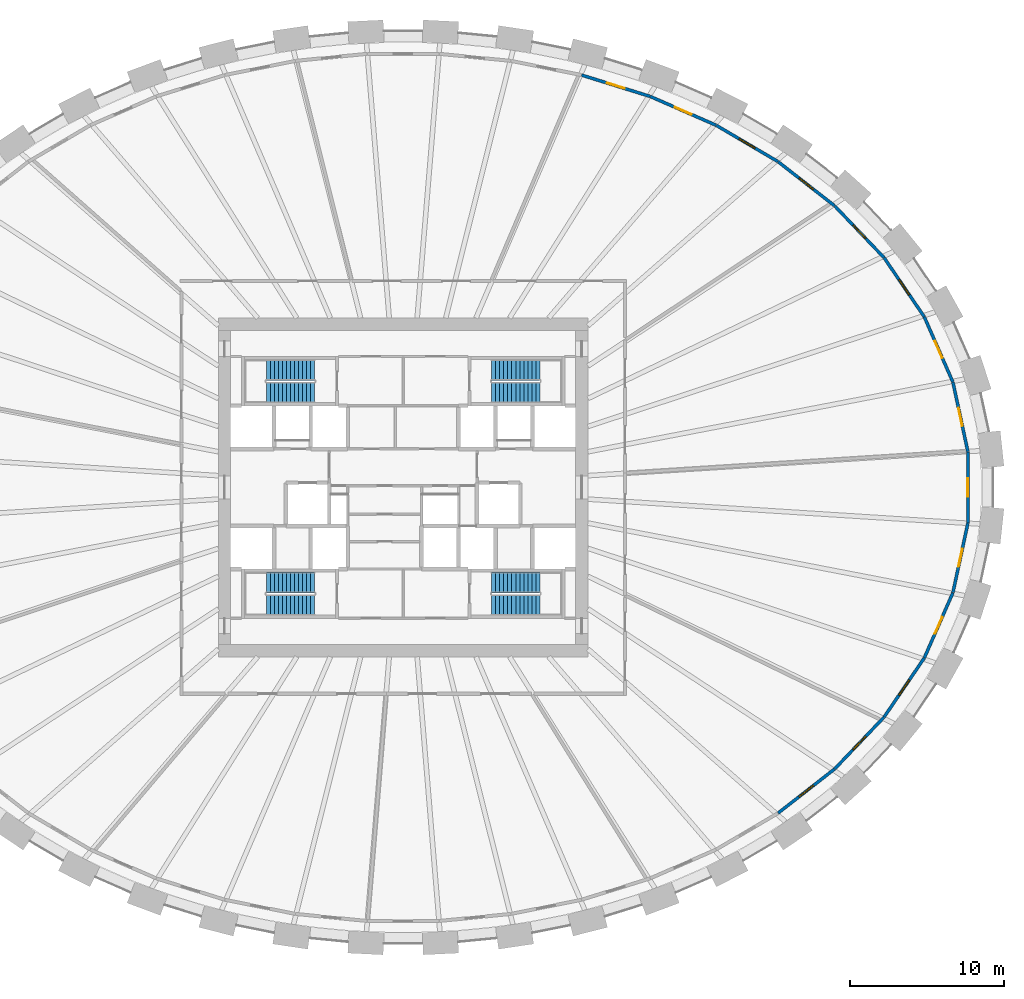
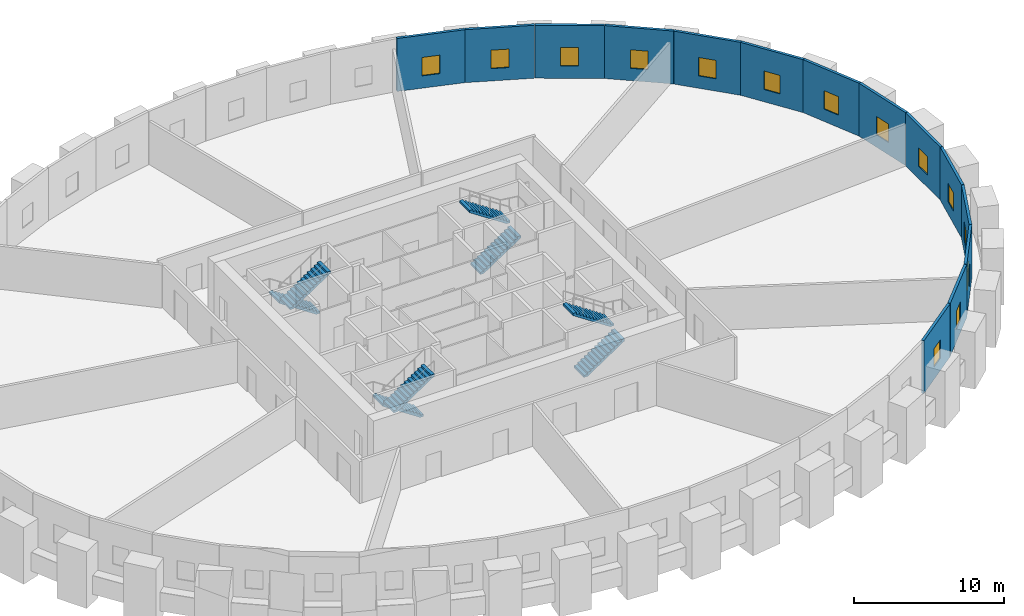
# One storey, part 8 of 9: 14 walls, 14 windows, 8 stair flights, 14 openings, 4 elements without a shape of their own.
"""IFC4 building model written with IfcOpenShell, lengths in metres."""

from ifc_helpers import new_model, si_unit, direction, frame, frame_2d, origin, place, context, subcontext, project, spatial, polyline, rectangle, outline, extrude, source, transform, mapped, material, layer, layer_set, type_object, element, fill, aggregate, save


model = new_model("IFC4")

# Units and contexts
model_context = context("Model", 3, precision=1e-05, world=origin(), true_north=direction((0.0, 1.0)))
body_context = subcontext(model_context, "Body", "Model", "MODEL_VIEW")
ifc_project = project(units=[si_unit("LENGTHUNIT", "METRE"), si_unit("AREAUNIT", "SQUARE_METRE"), si_unit("VOLUMEUNIT", "CUBIC_METRE"), si_unit("PLANEANGLEUNIT", "RADIAN"), si_unit("MASSUNIT", "GRAM", prefix="KILO")], contexts=[model_context])

# Site, building, storey
site_placement = place(None, origin())
site = spatial("IfcSite", under=ifc_project, at=site_placement, CompositionType="ELEMENT")
building_placement = place(site_placement, origin())
building = spatial("IfcBuilding", under=site, at=building_placement, Name="Embergate Tower", CompositionType="ELEMENT")
storey_placement = place(building_placement, frame((0.0, 0.0, 147.60009765625)))
storey = spatial("IfcBuildingStorey", under=building, at=storey_placement, Name="L32", CompositionType="ELEMENT", Elevation=147.60009765625)

# Wall, opening, window
ifc_material_1 = material(Name="Terracotta louvre cladding on insulated backing", Category="masonry")
ifc_layer = layer(ifc_material_1, 0.199951171875)
ifc_layer_set = layer_set([ifc_layer], Name="Terracotta louvre cladding on insulated backing")
wall_type = type_object("IfcWallType", Name="Terracotta louvre wall", PredefinedType="SOLIDWALL", material=ifc_layer_set)
shared_shape_1 = source(origin(), body_context, "Body", "SweptSolid", [
    extrude(rectangle(XDim=4.60693359375, YDim=0.199951171875, at=frame_2d((2.303466796875, 0.0))), origin(), (0.0, 0.0, 1.0), 4.2998046875),
])
wall_1_placement = place(storey_placement, frame((35.70166015625, 6.825927734375, 0.0), z_axis=(0.0, 0.0, 1.0), x_axis=(0.210383104488, -0.977619020552, 0.0)))
wall_1 = element("IfcWall", 1, at=wall_1_placement, inside=storey, type_object=wall_type, Name="Louvre wall 1", PredefinedType="SOLIDWALL", context=body_context, shape_type="MappedRepresentation", body=[
    mapped(shared_shape_1, transform((0.0, 0.0, 0.0))),
])
shared_shape_2 = source(origin(), body_context, "Body", "SweptSolid", [
    extrude(rectangle(XDim=1.199951171875, YDim=1.5, at=frame_2d((0.60009765625, 0.75))), frame((0.0, 0.10986328125, 0.0), z_axis=(0.0, -1.0, 0.0), x_axis=(1.0, 0.0, 0.0)), (0.0, 0.0, 1.0), 0.219970703125),
])
opening_1_placement = place(wall_1_placement, frame((1.70361328125, 0.0, 1.0)))
opening_1 = element("IfcOpeningElement", 2, at=opening_1_placement, cuts=wall_1, Name="Opening RW", PredefinedType="OPENING", context=body_context, shape_type="MappedRepresentation", body=[
    mapped(shared_shape_2, transform((0.0, 0.0, 0.0))),
])
ifc_material_2 = material(Name="Aluminium, thermally broken, triple glazed", Category="aluminium")
window_type = type_object("IfcWindowType", Name="Refuge operable window", PartitioningType="SINGLE_PANEL", PredefinedType="WINDOW", material=ifc_material_2)
shared_shape_3 = source(origin(), body_context, "Body", "SweptSolid", [
    extrude(rectangle(XDim=1.199951171875, YDim=1.5, at=frame_2d((0.60009765625, 0.75))), frame((0.0, 0.030029296875, 0.0), z_axis=(0.0, -1.0, 0.0), x_axis=(1.0, 0.0, 0.0)), (0.0, 0.0, 1.0), 0.06005859375),
])
window_1_placement = place(opening_1_placement, origin())
window_1 = element("IfcWindow", 3, at=window_1_placement, inside=storey, type_object=window_type, Name="Refuge window 1", OverallHeight=1.5, OverallWidth=1.199951171875, PartitioningType="SINGLE_PANEL", PredefinedType="WINDOW", context=body_context, shape_type="MappedRepresentation", body=[
    mapped(shared_shape_3, transform((0.0, 0.0, 0.0))),
])
fill(opening_1, window_1)

wall_2_placement = place(storey_placement, frame((36.6708984375, -2.322021484375, 0.0), z_axis=(0.0, 0.0, 1.0), x_axis=(-0.210383104488, -0.977619020552, 0.0)))
wall_2 = element("IfcWall", 4, at=wall_2_placement, inside=storey, type_object=wall_type, Name="Louvre wall 43", PredefinedType="SOLIDWALL", context=body_context, shape_type="MappedRepresentation", body=[
    mapped(shared_shape_1, transform((0.0, 0.0, 0.0))),
])
opening_2_placement = place(wall_2_placement, frame((1.70361328125, 0.0, 1.0)))
opening_2 = element("IfcOpeningElement", 5, at=opening_2_placement, cuts=wall_2, Name="Opening RW", PredefinedType="OPENING", context=body_context, shape_type="MappedRepresentation", body=[
    mapped(shared_shape_2, transform((0.0, 0.0, 0.0))),
])
window_2_placement = place(opening_2_placement, origin())
window_2 = element("IfcWindow", 6, at=window_2_placement, inside=storey, type_object=window_type, Name="Refuge window 43", OverallHeight=1.5, OverallWidth=1.199951171875, PartitioningType="SINGLE_PANEL", PredefinedType="WINDOW", context=body_context, shape_type="MappedRepresentation", body=[
    mapped(shared_shape_3, transform((0.0, 0.0, 0.0))),
])
fill(opening_2, window_2)

shared_shape_4 = source(origin(), body_context, "Body", "SweptSolid", [
    extrude(rectangle(XDim=4.6142578125, YDim=0.199951171875, at=frame_2d((2.30712890625, 0.0))), origin(), (0.0, 0.0, 1.0), 4.2998046875),
])
wall_3_placement = place(storey_placement, frame((33.84228515625, 11.07080078125, 0.0), z_axis=(0.0, 0.0, 1.0), x_axis=(0.40163191284, -0.915801182893, 0.0)))
wall_3 = element("IfcWall", 7, at=wall_3_placement, inside=storey, type_object=wall_type, Name="Louvre wall 2", PredefinedType="SOLIDWALL", context=body_context, shape_type="MappedRepresentation", body=[
    mapped(shared_shape_4, transform((0.0, 0.0, 0.0))),
])
opening_3_placement = place(wall_3_placement, frame((1.70703125, 0.0, 1.0)))
opening_3 = element("IfcOpeningElement", 8, at=opening_3_placement, cuts=wall_3, Name="Opening RW", PredefinedType="OPENING", context=body_context, shape_type="MappedRepresentation", body=[
    mapped(shared_shape_2, transform((0.0, 0.0, 0.0))),
])
window_3_placement = place(opening_3_placement, origin())
window_3 = element("IfcWindow", 9, at=window_3_placement, inside=storey, type_object=window_type, Name="Refuge window 2", OverallHeight=1.5, OverallWidth=1.199951171875, PartitioningType="SINGLE_PANEL", PredefinedType="WINDOW", context=body_context, shape_type="MappedRepresentation", body=[
    mapped(shared_shape_3, transform((0.0, 0.0, 0.0))),
])
fill(opening_3, window_3)

wall_4_placement = place(storey_placement, frame((35.695556640625, -6.844970703125, 0.0), z_axis=(0.0, 0.0, 1.0), x_axis=(-0.40163191284, -0.915801182893, 0.0)))
wall_4 = element("IfcWall", 10, at=wall_4_placement, inside=storey, type_object=wall_type, Name="Louvre wall 42", PredefinedType="SOLIDWALL", context=body_context, shape_type="MappedRepresentation", body=[
    mapped(shared_shape_4, transform((0.0, 0.0, 0.0))),
])
opening_4_placement = place(wall_4_placement, frame((1.70703125, 0.0, 1.0)))
opening_4 = element("IfcOpeningElement", 11, at=opening_4_placement, cuts=wall_4, Name="Opening RW", PredefinedType="OPENING", context=body_context, shape_type="MappedRepresentation", body=[
    mapped(shared_shape_2, transform((0.0, 0.0, 0.0))),
])
window_4_placement = place(opening_4_placement, origin())
window_4 = element("IfcWindow", 12, at=window_4_placement, inside=storey, type_object=window_type, Name="Refuge window 42", OverallHeight=1.5, OverallWidth=1.199951171875, PartitioningType="SINGLE_PANEL", PredefinedType="WINDOW", context=body_context, shape_type="MappedRepresentation", body=[
    mapped(shared_shape_3, transform((0.0, 0.0, 0.0))),
])
fill(opening_4, window_4)

shared_shape_5 = source(origin(), body_context, "Body", "SweptSolid", [
    extrude(rectangle(XDim=4.623291015625, YDim=0.199951171875, at=frame_2d((2.3115234375, 0.0))), origin(), (0.0, 0.0, 1.0), 4.2998046875),
])
wall_5_placement = place(storey_placement, frame((31.232666015625, 14.9111328125, 0.0), z_axis=(0.0, 0.0, 1.0), x_axis=(0.562341797636, -0.826904893341, 0.0)))
wall_5 = element("IfcWall", 13, at=wall_5_placement, inside=storey, type_object=wall_type, Name="Louvre wall 3", PredefinedType="SOLIDWALL", context=body_context, shape_type="MappedRepresentation", body=[
    mapped(shared_shape_5, transform((0.0, 0.0, 0.0))),
])
opening_5_placement = place(wall_5_placement, frame((1.711669921875, 0.0, 1.0)))
opening_5 = element("IfcOpeningElement", 14, at=opening_5_placement, cuts=wall_5, Name="Opening RW", PredefinedType="OPENING", context=body_context, shape_type="MappedRepresentation", body=[
    mapped(shared_shape_2, transform((0.0, 0.0, 0.0))),
])
window_5_placement = place(opening_5_placement, origin())
window_5 = element("IfcWindow", 15, at=window_5_placement, inside=storey, type_object=window_type, Name="Refuge window 3", OverallHeight=1.5, OverallWidth=1.199951171875, PartitioningType="SINGLE_PANEL", PredefinedType="WINDOW", context=body_context, shape_type="MappedRepresentation", body=[
    mapped(shared_shape_3, transform((0.0, 0.0, 0.0))),
])
fill(opening_5, window_5)

wall_6_placement = place(storey_placement, frame((33.83251953125, -11.088134765625, 0.0), z_axis=(0.0, 0.0, 1.0), x_axis=(-0.562341797636, -0.826904893341, 0.0)))
wall_6 = element("IfcWall", 16, at=wall_6_placement, inside=storey, type_object=wall_type, Name="Louvre wall 41", PredefinedType="SOLIDWALL", context=body_context, shape_type="MappedRepresentation", body=[
    mapped(shared_shape_5, transform((0.0, 0.0, 0.0))),
])
opening_6_placement = place(wall_6_placement, frame((1.711669921875, 0.0, 1.0)))
opening_6 = element("IfcOpeningElement", 17, at=opening_6_placement, cuts=wall_6, Name="Opening RW", PredefinedType="OPENING", context=body_context, shape_type="MappedRepresentation", body=[
    mapped(shared_shape_2, transform((0.0, 0.0, 0.0))),
])
window_6_placement = place(opening_6_placement, origin())
window_6 = element("IfcWindow", 18, at=window_6_placement, inside=storey, type_object=window_type, Name="Refuge window 41", OverallHeight=1.5, OverallWidth=1.199951171875, PartitioningType="SINGLE_PANEL", PredefinedType="WINDOW", context=body_context, shape_type="MappedRepresentation", body=[
    mapped(shared_shape_3, transform((0.0, 0.0, 0.0))),
])
fill(opening_6, window_6)

shared_shape_6 = source(origin(), body_context, "Body", "SweptSolid", [
    extrude(rectangle(XDim=4.63232421875, YDim=0.199951171875, at=frame_2d((2.316162109375, 0.0))), origin(), (0.0, 0.0, 1.0), 4.2998046875),
])
wall_7_placement = place(storey_placement, frame((28.023193359375, 18.27880859375, 0.0), z_axis=(0.0, 0.0, 1.0), x_axis=(0.690148517333, -0.723667758037, 0.0)))
wall_7 = element("IfcWall", 19, at=wall_7_placement, inside=storey, type_object=wall_type, Name="Louvre wall 4", PredefinedType="SOLIDWALL", context=body_context, shape_type="MappedRepresentation", body=[
    mapped(shared_shape_6, transform((0.0, 0.0, 0.0))),
])
opening_7_placement = place(wall_7_placement, frame((1.716064453125, 0.0, 1.0)))
opening_7 = element("IfcOpeningElement", 20, at=opening_7_placement, cuts=wall_7, Name="Opening RW", PredefinedType="OPENING", context=body_context, shape_type="MappedRepresentation", body=[
    mapped(shared_shape_2, transform((0.0, 0.0, 0.0))),
])
window_7_placement = place(opening_7_placement, origin())
window_7 = element("IfcWindow", 21, at=window_7_placement, inside=storey, type_object=window_type, Name="Refuge window 4", OverallHeight=1.5, OverallWidth=1.199951171875, PartitioningType="SINGLE_PANEL", PredefinedType="WINDOW", context=body_context, shape_type="MappedRepresentation", body=[
    mapped(shared_shape_3, transform((0.0, 0.0, 0.0))),
])
fill(opening_7, window_7)

wall_8_placement = place(storey_placement, frame((31.22021484375, -14.926513671875, 0.0), z_axis=(0.0, 0.0, 1.0), x_axis=(-0.690148517333, -0.723667758037, 0.0)))
wall_8 = element("IfcWall", 22, at=wall_8_placement, inside=storey, type_object=wall_type, Name="Louvre wall 40", PredefinedType="SOLIDWALL", context=body_context, shape_type="MappedRepresentation", body=[
    mapped(shared_shape_6, transform((0.0, 0.0, 0.0))),
])
opening_8_placement = place(wall_8_placement, frame((1.716064453125, 0.0, 1.0)))
opening_8 = element("IfcOpeningElement", 23, at=opening_8_placement, cuts=wall_8, Name="Opening RW", PredefinedType="OPENING", context=body_context, shape_type="MappedRepresentation", body=[
    mapped(shared_shape_2, transform((0.0, 0.0, 0.0))),
])
window_8_placement = place(opening_8_placement, origin())
window_8 = element("IfcWindow", 24, at=window_8_placement, inside=storey, type_object=window_type, Name="Refuge window 40", OverallHeight=1.5, OverallWidth=1.199951171875, PartitioningType="SINGLE_PANEL", PredefinedType="WINDOW", context=body_context, shape_type="MappedRepresentation", body=[
    mapped(shared_shape_3, transform((0.0, 0.0, 0.0))),
])
fill(opening_8, window_8)

shared_shape_7 = source(origin(), body_context, "Body", "SweptSolid", [
    extrude(rectangle(XDim=4.639892578125, YDim=0.199951171875, at=frame_2d((2.31982421875, 0.0))), origin(), (0.0, 0.0, 1.0), 4.2998046875),
])
wall_9_placement = place(storey_placement, frame((24.350830078125, 21.14697265625, 0.0), z_axis=(0.0, 0.0, 1.0), x_axis=(0.788322630582, -0.615262082459, 0.0)))
wall_9 = element("IfcWall", 25, at=wall_9_placement, inside=storey, type_object=wall_type, Name="Louvre wall 5", PredefinedType="SOLIDWALL", context=body_context, shape_type="MappedRepresentation", body=[
    mapped(shared_shape_7, transform((0.0, 0.0, 0.0))),
])
opening_9_placement = place(wall_9_placement, frame((1.719970703125, 0.0, 1.0)))
opening_9 = element("IfcOpeningElement", 26, at=opening_9_placement, cuts=wall_9, Name="Opening RW", PredefinedType="OPENING", context=body_context, shape_type="MappedRepresentation", body=[
    mapped(shared_shape_2, transform((0.0, 0.0, 0.0))),
])
window_9_placement = place(opening_9_placement, origin())
window_9 = element("IfcWindow", 27, at=window_9_placement, inside=storey, type_object=window_type, Name="Refuge window 5", OverallHeight=1.5, OverallWidth=1.199951171875, PartitioningType="SINGLE_PANEL", PredefinedType="WINDOW", context=body_context, shape_type="MappedRepresentation", body=[
    mapped(shared_shape_3, transform((0.0, 0.0, 0.0))),
])
fill(opening_9, window_9)

wall_10_placement = place(storey_placement, frame((28.008544921875, -18.292236328125, 0.0), z_axis=(0.0, 0.0, 1.0), x_axis=(-0.788322630582, -0.615262082459, 0.0)))
wall_10 = element("IfcWall", 28, at=wall_10_placement, inside=storey, type_object=wall_type, Name="Louvre wall 39", PredefinedType="SOLIDWALL", context=body_context, shape_type="MappedRepresentation", body=[
    mapped(shared_shape_7, transform((0.0, 0.0, 0.0))),
])
opening_10_placement = place(wall_10_placement, frame((1.719970703125, 0.0, 1.0)))
opening_10 = element("IfcOpeningElement", 29, at=opening_10_placement, cuts=wall_10, Name="Opening RW", PredefinedType="OPENING", context=body_context, shape_type="MappedRepresentation", body=[
    mapped(shared_shape_2, transform((0.0, 0.0, 0.0))),
])
window_10_placement = place(opening_10_placement, origin())
window_10 = element("IfcWindow", 30, at=window_10_placement, inside=storey, type_object=window_type, Name="Refuge window 39", OverallHeight=1.5, OverallWidth=1.199951171875, PartitioningType="SINGLE_PANEL", PredefinedType="WINDOW", context=body_context, shape_type="MappedRepresentation", body=[
    mapped(shared_shape_3, transform((0.0, 0.0, 0.0))),
])
fill(opening_10, window_10)

shared_shape_8 = source(origin(), body_context, "Body", "SweptSolid", [
    extrude(rectangle(XDim=4.64599609375, YDim=0.199951171875, at=frame_2d((2.322998046875, 0.0))), origin(), (0.0, 0.0, 1.0), 4.2998046875),
])
wall_11_placement = place(storey_placement, frame((20.329345703125, 23.5126953125, 0.0), z_axis=(0.0, 0.0, 1.0), x_axis=(0.86207197338, -0.506785864753, 0.0)))
wall_11 = element("IfcWall", 31, at=wall_11_placement, inside=storey, type_object=wall_type, Name="Louvre wall 6", PredefinedType="SOLIDWALL", context=body_context, shape_type="MappedRepresentation", body=[
    mapped(shared_shape_8, transform((0.0, 0.0, 0.0))),
])
opening_11_placement = place(wall_11_placement, frame((1.722900390625, 0.0, 1.0)))
opening_11 = element("IfcOpeningElement", 32, at=opening_11_placement, cuts=wall_11, Name="Opening RW", PredefinedType="OPENING", context=body_context, shape_type="MappedRepresentation", body=[
    mapped(shared_shape_2, transform((0.0, 0.0, 0.0))),
])
window_11_placement = place(opening_11_placement, origin())
window_11 = element("IfcWindow", 33, at=window_11_placement, inside=storey, type_object=window_type, Name="Refuge window 6", OverallHeight=1.5, OverallWidth=1.199951171875, PartitioningType="SINGLE_PANEL", PredefinedType="WINDOW", context=body_context, shape_type="MappedRepresentation", body=[
    mapped(shared_shape_3, transform((0.0, 0.0, 0.0))),
])
fill(opening_11, window_11)

shared_shape_9 = source(origin(), body_context, "Body", "SweptSolid", [
    extrude(rectangle(XDim=4.650634765625, YDim=0.199951171875, at=frame_2d((2.3251953125, 0.0))), origin(), (0.0, 0.0, 1.0), 4.2998046875),
])
wall_12_placement = place(storey_placement, frame((16.050537109375, 25.385009765625, 0.0), z_axis=(0.0, 0.0, 1.0), x_axis=(0.916228406461, -0.400656345506, 0.0)))
wall_12 = element("IfcWall", 34, at=wall_12_placement, inside=storey, type_object=wall_type, Name="Louvre wall 7", PredefinedType="SOLIDWALL", context=body_context, shape_type="MappedRepresentation", body=[
    mapped(shared_shape_9, transform((0.0, 0.0, 0.0))),
])
opening_12_placement = place(wall_12_placement, frame((1.725341796875, 0.0, 1.0)))
opening_12 = element("IfcOpeningElement", 35, at=opening_12_placement, cuts=wall_12, Name="Opening RW", PredefinedType="OPENING", context=body_context, shape_type="MappedRepresentation", body=[
    mapped(shared_shape_2, transform((0.0, 0.0, 0.0))),
])
window_12_placement = place(opening_12_placement, origin())
window_12 = element("IfcWindow", 36, at=window_12_placement, inside=storey, type_object=window_type, Name="Refuge window 7", OverallHeight=1.5, OverallWidth=1.199951171875, PartitioningType="SINGLE_PANEL", PredefinedType="WINDOW", context=body_context, shape_type="MappedRepresentation", body=[
    mapped(shared_shape_3, transform((0.0, 0.0, 0.0))),
])
fill(opening_12, window_12)

shared_shape_10 = source(origin(), body_context, "Body", "SweptSolid", [
    extrude(rectangle(XDim=4.654052734375, YDim=0.199951171875, at=frame_2d((2.3271484375, 0.0))), origin(), (0.0, 0.0, 1.0), 4.2998046875),
])
wall_13_placement = place(storey_placement, frame((11.58837890625, 26.77587890625, 0.0), z_axis=(0.0, 0.0, 1.0), x_axis=(0.954775397465, -0.297328001364, 0.0)))
wall_13 = element("IfcWall", 37, at=wall_13_placement, inside=storey, type_object=wall_type, Name="Louvre wall 8", PredefinedType="SOLIDWALL", context=body_context, shape_type="MappedRepresentation", body=[
    mapped(shared_shape_10, transform((0.0, 0.0, 0.0))),
])
opening_13_placement = place(wall_13_placement, frame((1.72705078125, 0.0, 1.0)))
opening_13 = element("IfcOpeningElement", 38, at=opening_13_placement, cuts=wall_13, Name="Opening RW", PredefinedType="OPENING", context=body_context, shape_type="MappedRepresentation", body=[
    mapped(shared_shape_2, transform((0.0, 0.0, 0.0))),
])
window_13_placement = place(opening_13_placement, origin())
window_13 = element("IfcWindow", 39, at=window_13_placement, inside=storey, type_object=window_type, Name="Refuge window 8", OverallHeight=1.5, OverallWidth=1.199951171875, PartitioningType="SINGLE_PANEL", PredefinedType="WINDOW", context=body_context, shape_type="MappedRepresentation", body=[
    mapped(shared_shape_3, transform((0.0, 0.0, 0.0))),
])
fill(opening_13, window_13)

shared_shape_11 = source(origin(), body_context, "Body", "SweptSolid", [
    extrude(rectangle(XDim=4.6044921875, YDim=0.199951171875, at=frame_2d((2.30224609375, 0.0))), origin(), (0.0, 0.0, 1.0), 4.2998046875),
])
wall_14_placement = place(storey_placement, frame((36.673095703125, 2.30224609375, 0.0), z_axis=(0.0, 0.0, 1.0), x_axis=(0.0, -1.0, 0.0)))
wall_14 = element("IfcWall", 40, at=wall_14_placement, inside=storey, type_object=wall_type, Name="Louvre wall 44", PredefinedType="SOLIDWALL", context=body_context, shape_type="MappedRepresentation", body=[
    mapped(shared_shape_11, transform((0.0, 0.0, 0.0))),
])
opening_14_placement = place(wall_14_placement, frame((1.7021484375, 0.0, 1.0)))
opening_14 = element("IfcOpeningElement", 41, at=opening_14_placement, cuts=wall_14, Name="Opening RW", PredefinedType="OPENING", context=body_context, shape_type="MappedRepresentation", body=[
    mapped(shared_shape_2, transform((0.0, 0.0, 0.0))),
])
window_14_placement = place(opening_14_placement, origin())
window_14 = element("IfcWindow", 42, at=window_14_placement, inside=storey, type_object=window_type, Name="Refuge window 44", OverallHeight=1.5, OverallWidth=1.199951171875, PartitioningType="SINGLE_PANEL", PredefinedType="WINDOW", context=body_context, shape_type="MappedRepresentation", body=[
    mapped(shared_shape_3, transform((0.0, 0.0, 0.0))),
])
fill(opening_14, window_14)

# Stair, stair flights
ifc_material_3 = material(Name="Exit stair")
stair_type = type_object("IfcStairType", Name="Exit stair", PredefinedType="HALF_TURN_STAIR", material=ifc_material_3)
stair_1_placement = place(storey_placement, origin())
stair_1 = element("IfcStair", 43, at=stair_1_placement, inside=storey, type_object=stair_type, Name="L32 Exit stair 1", PredefinedType="HALF_TURN_STAIR")
ifc_material_4 = material(Name="Concrete C40", Category="concrete")
stair_flight_type = type_object("IfcStairFlightType", Name="Stair flight reinforced concrete", PredefinedType="STRAIGHT", material=ifc_material_4)
shared_shape_12 = source(origin(), body_context, "Body", "SweptSolid", [
    extrude(outline(polyline([(0.0, 0.0), (0.0, 0.173095703125), (0.260009765625, 0.173095703125), (0.260009765625, 0.34619140625), (0.52001953125, 0.34619140625), (0.52001953125, 0.519287109375), (0.780029296875, 0.519287109375), (0.780029296875, 0.6923828125), (1.0400390625, 0.6923828125), (1.0400390625, 0.865478515625), (1.300048828125, 0.865478515625), (1.300048828125, 1.03857421875), (1.56005859375, 1.03857421875), (1.56005859375, 1.21142578125), (1.820068359375, 1.21142578125), (1.820068359375, 1.384521484375), (2.080078125, 1.384521484375), (2.080078125, 1.5576171875), (2.340087890625, 1.5576171875), (2.340087890625, 1.730712890625), (2.60009765625, 1.730712890625), (2.60009765625, 1.90380859375), (2.860107421875, 1.90380859375), (2.860107421875, 2.076904296875), (3.1201171875, 2.076904296875), (3.1201171875, 2.25), (3.1201171875, 1.896728515625), (0.2705078125, 0.0), (0.0, 0.0)])), frame((0.0, 0.675048828125, 0.0), z_axis=(0.0, -1.0, 0.0), x_axis=(1.0, 0.0, 0.0)), (0.0, 0.0, 1.0), 1.35009765625),
])
stair_flight_1_placement = place(storey_placement, frame((-5.75, 7.625, 0.0), z_axis=(0.0, 0.0, 1.0), x_axis=(-1.0, 0.0, 0.0)))
stair_flight_1 = element("IfcStairFlight", 44, at=stair_flight_1_placement, type_object=stair_flight_type, Name="ST1 flight 1", NumberOfRisers=13, NumberOfTreads=12, PredefinedType="STRAIGHT", RiserHeight=0.173076923, TreadLength=0.26, context=body_context, shape_type="MappedRepresentation", body=[
    mapped(shared_shape_12, transform((0.0, 0.0, 0.0))),
])
stair_flight_2_placement = place(storey_placement, frame((-8.8701171875, 6.175048828125, 2.25), z_axis=(0.0, 0.0, 1.0), x_axis=(1.0, 0.0, 0.0)))
stair_flight_2 = element("IfcStairFlight", 45, at=stair_flight_2_placement, type_object=stair_flight_type, Name="ST1 flight 2", NumberOfRisers=13, NumberOfTreads=12, PredefinedType="STRAIGHT", RiserHeight=0.173076923, TreadLength=0.26, context=body_context, shape_type="MappedRepresentation", body=[
    mapped(shared_shape_12, transform((0.0, 0.0, 0.0))),
])
aggregate(stair_1, [stair_flight_1, stair_flight_2])

stair_2_placement = place(storey_placement, origin())
stair_2 = element("IfcStair", 46, at=stair_2_placement, inside=storey, type_object=stair_type, Name="L32 Exit stair 2", PredefinedType="HALF_TURN_STAIR")
stair_flight_3_placement = place(storey_placement, frame((5.75, 6.175048828125, 0.0), z_axis=(0.0, 0.0, 1.0), x_axis=(1.0, 0.0, 0.0)))
stair_flight_3 = element("IfcStairFlight", 47, at=stair_flight_3_placement, type_object=stair_flight_type, Name="ST2 flight 1", NumberOfRisers=13, NumberOfTreads=12, PredefinedType="STRAIGHT", RiserHeight=0.173076923, TreadLength=0.26, context=body_context, shape_type="MappedRepresentation", body=[
    mapped(shared_shape_12, transform((0.0, 0.0, 0.0))),
])
stair_flight_4_placement = place(storey_placement, frame((8.8701171875, 7.625, 2.25), z_axis=(0.0, 0.0, 1.0), x_axis=(-1.0, 0.0, 0.0)))
stair_flight_4 = element("IfcStairFlight", 48, at=stair_flight_4_placement, type_object=stair_flight_type, Name="ST2 flight 2", NumberOfRisers=13, NumberOfTreads=12, PredefinedType="STRAIGHT", RiserHeight=0.173076923, TreadLength=0.26, context=body_context, shape_type="MappedRepresentation", body=[
    mapped(shared_shape_12, transform((0.0, 0.0, 0.0))),
])
aggregate(stair_2, [stair_flight_3, stair_flight_4])

stair_3_placement = place(storey_placement, origin())
stair_3 = element("IfcStair", 49, at=stair_3_placement, inside=storey, type_object=stair_type, Name="L32 Exit stair 3", PredefinedType="HALF_TURN_STAIR")
stair_flight_5_placement = place(storey_placement, frame((-5.75, -6.175048828125, 0.0), z_axis=(0.0, 0.0, 1.0), x_axis=(-1.0, 0.0, 0.0)))
stair_flight_5 = element("IfcStairFlight", 50, at=stair_flight_5_placement, type_object=stair_flight_type, Name="ST3 flight 1", NumberOfRisers=13, NumberOfTreads=12, PredefinedType="STRAIGHT", RiserHeight=0.173076923, TreadLength=0.26, context=body_context, shape_type="MappedRepresentation", body=[
    mapped(shared_shape_12, transform((0.0, 0.0, 0.0))),
])
stair_flight_6_placement = place(storey_placement, frame((-8.8701171875, -7.625, 2.25), z_axis=(0.0, 0.0, 1.0), x_axis=(1.0, 0.0, 0.0)))
stair_flight_6 = element("IfcStairFlight", 51, at=stair_flight_6_placement, type_object=stair_flight_type, Name="ST3 flight 2", NumberOfRisers=13, NumberOfTreads=12, PredefinedType="STRAIGHT", RiserHeight=0.173076923, TreadLength=0.26, context=body_context, shape_type="MappedRepresentation", body=[
    mapped(shared_shape_12, transform((0.0, 0.0, 0.0))),
])
aggregate(stair_3, [stair_flight_5, stair_flight_6])

stair_4_placement = place(storey_placement, origin())
stair_4 = element("IfcStair", 52, at=stair_4_placement, inside=storey, type_object=stair_type, Name="L32 Exit stair 4", PredefinedType="HALF_TURN_STAIR")
stair_flight_7_placement = place(storey_placement, frame((5.75, -7.625, 0.0), z_axis=(0.0, 0.0, 1.0), x_axis=(1.0, 0.0, 0.0)))
stair_flight_7 = element("IfcStairFlight", 53, at=stair_flight_7_placement, type_object=stair_flight_type, Name="ST4 flight 1", NumberOfRisers=13, NumberOfTreads=12, PredefinedType="STRAIGHT", RiserHeight=0.173076923, TreadLength=0.26, context=body_context, shape_type="MappedRepresentation", body=[
    mapped(shared_shape_12, transform((0.0, 0.0, 0.0))),
])
stair_flight_8_placement = place(storey_placement, frame((8.8701171875, -6.175048828125, 2.25), z_axis=(0.0, 0.0, 1.0), x_axis=(-1.0, 0.0, 0.0)))
stair_flight_8 = element("IfcStairFlight", 54, at=stair_flight_8_placement, type_object=stair_flight_type, Name="ST4 flight 2", NumberOfRisers=13, NumberOfTreads=12, PredefinedType="STRAIGHT", RiserHeight=0.173076923, TreadLength=0.26, context=body_context, shape_type="MappedRepresentation", body=[
    mapped(shared_shape_12, transform((0.0, 0.0, 0.0))),
])
aggregate(stair_4, [stair_flight_7, stair_flight_8])

save(model, "model.ifc")
